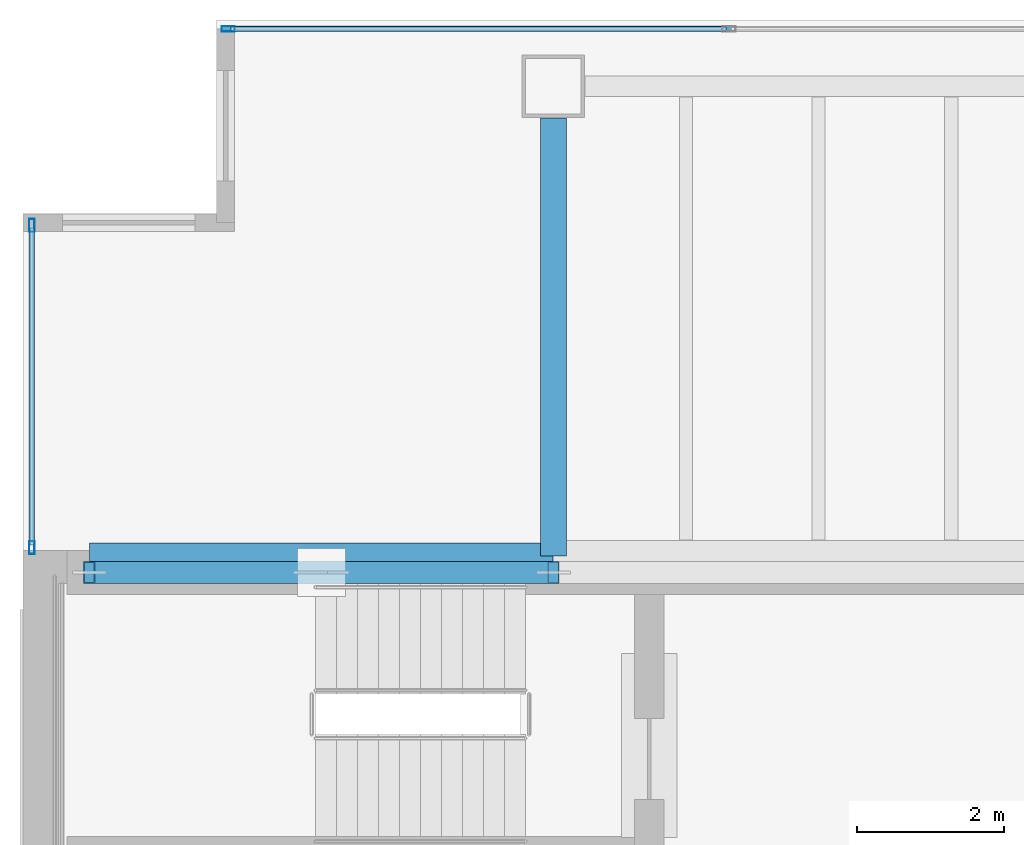
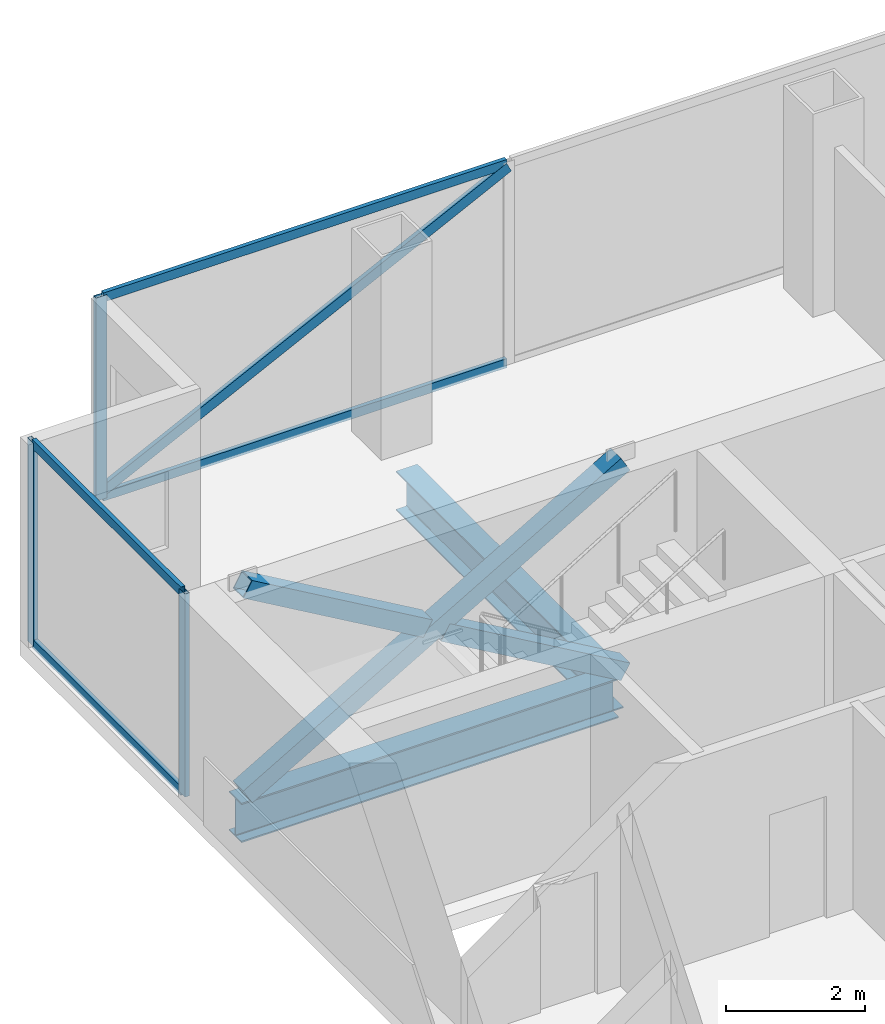
# One storey, part 16 of 23: 11 members, 2 beams, 2 elements without a shape of their own.
"""IFC4 building model written with IfcOpenShell, lengths in metres."""

from ifc_helpers import new_model, si_unit, direction, frame, origin, origin_2d, place, context, subcontext, project, spatial, hollow_rectangle, i_section, extrude, material, material_profile, profile_set, type_object, element, aggregate, save


model = new_model("IFC4")

# Units and contexts
model_context = context("Model", 3, precision=1e-05, world=origin(), true_north=direction((0.0, 1.0)))
body_context = subcontext(model_context, "Body", "Model", "MODEL_VIEW")
ifc_project = project(units=[si_unit("LENGTHUNIT", "METRE"), si_unit("AREAUNIT", "SQUARE_METRE"), si_unit("VOLUMEUNIT", "CUBIC_METRE"), si_unit("PLANEANGLEUNIT", "RADIAN"), si_unit("MASSUNIT", "GRAM", prefix="KILO")], contexts=[model_context])

# Site, building, storey
site_placement = place(None, origin())
site = spatial("IfcSite", under=ifc_project, at=site_placement, CompositionType="ELEMENT")
building_placement = place(site_placement, origin())
building = spatial("IfcBuilding", under=site, at=building_placement, Name="Cobrela Telecom Tower", CompositionType="ELEMENT")
storey_placement = place(building_placement, frame((0.0, 0.0, 159.949951171875)))
storey = spatial("IfcBuildingStorey", under=building, at=storey_placement, Name="L40", CompositionType="ELEMENT", Elevation=159.949951171875)

# Beams
ifc_material_1 = material(Name="Steel ASTM A992 Grade 50", Category="steel")
ifc_material_profile_1 = material_profile(ifc_material_1, i_section(OverallWidth=0.35595703125, OverallDepth=0.696044921875, WebThickness=0.015380859375, FlangeThickness=0.024658203125, FilletRadius=0.01806640625, at=origin_2d()), Name="W27X146")
ifc_profile_set_1 = profile_set([ifc_material_profile_1], Name="Steel ASTM A992 Grade 50")
beam_type = type_object("IfcBeamType", Name="BM-GIRD-05", PredefinedType="USERDEFINED", material=ifc_profile_set_1)
beam_1_placement = place(storey_placement, frame((0.905029296875, 35.919921875, -0.617919921875), z_axis=(1.0, 0.0, 0.0), x_axis=(0.0, 1.0, 0.0)))
element("IfcBeam", 1, at=beam_1_placement, inside=storey, type_object=beam_type, Name="L40 Primary Girder X21", ObjectType="GIRDER", PredefinedType="USERDEFINED", context=body_context, shape_type="SweptSolid", body=[
    extrude(i_section(OverallWidth=0.35595703125, OverallDepth=0.696044921875, WebThickness=0.015380859375, FlangeThickness=0.024658203125, FilletRadius=0.01806640625, at=origin_2d()), origin(), (0.0, 0.0, 1.0), 6.2900390625),
])
beam_2_placement = place(storey_placement, frame((7.199951171875, 35.925048828125, -0.617919921875), z_axis=(0.0, 1.0, 0.0), x_axis=(-1.0, 0.0, 0.0)))
element("IfcBeam", 2, at=beam_2_placement, inside=storey, type_object=beam_type, Name="L40 Primary Girder Y28", ObjectType="GIRDER", PredefinedType="USERDEFINED", context=body_context, shape_type="SweptSolid", body=[
    extrude(i_section(OverallWidth=0.35595703125, OverallDepth=0.696044921875, WebThickness=0.015380859375, FlangeThickness=0.024658203125, FilletRadius=0.01806640625, at=origin_2d()), origin(), (0.0, 0.0, 1.0), 5.945068359375),
])

# Curtain wall, members
ifc_material_2 = material(Name="Anodized Bronze Aluminium 6063-T6", Category="aluminium")
curtain_wall_type = type_object("IfcCurtainWallType", Name="CW-SYS-TEL", PredefinedType="USERDEFINED", material=ifc_material_2)
curtain_wall_1_placement = place(storey_placement, origin())
curtain_wall_1 = element("IfcCurtainWall", 3, at=curtain_wall_1_placement, inside=storey, type_object=curtain_wall_type, Name="L40 Unitised Bronze Curtain Wall 04", ObjectType="UNITISED CURTAIN WALL", PredefinedType="USERDEFINED")
ifc_material_profile_2 = material_profile(ifc_material_2, hollow_rectangle(XDim=0.074951171875, YDim=0.179931640625, WallThickness=0.00390625, at=origin_2d()), Name="ALU 75x180x4")
ifc_profile_set_2 = profile_set([ifc_material_profile_2], Name="Anodized Bronze Aluminium 6063-T6")
member_type_1 = type_object("IfcMemberType", Name="CW-SYS-TEL-MUL", PredefinedType="MULLION", material=ifc_profile_set_2)
member_1_placement = place(storey_placement, frame((0.1201171875, 36.03759765625, 0.0), z_axis=(0.0, 0.0, 1.0), x_axis=(-1.0, 0.0, 0.0)))
member_1 = element("IfcMember", 4, at=member_1_placement, type_object=member_type_1, Name="CW-TEL mullion 1", PredefinedType="MULLION", context=body_context, shape_type="SweptSolid", body=[
    extrude(hollow_rectangle(XDim=0.074951171875, YDim=0.179931640625, WallThickness=0.00390625, at=origin_2d()), origin(), (0.0, 0.0, 1.0), 3.580078125),
])
member_2_placement = place(storey_placement, frame((0.1201171875, 40.41259765625, 0.0), z_axis=(0.0, 0.0, 1.0), x_axis=(-1.0, 0.0, 0.0)))
member_2 = element("IfcMember", 5, at=member_2_placement, type_object=member_type_1, Name="CW-TEL mullion 2", PredefinedType="MULLION", context=body_context, shape_type="SweptSolid", body=[
    extrude(hollow_rectangle(XDim=0.074951171875, YDim=0.179931640625, WallThickness=0.00390625, at=origin_2d()), origin(), (0.0, 0.0, 1.0), 3.580078125),
])

curtain_wall_2_placement = place(storey_placement, origin())
curtain_wall_2 = element("IfcCurtainWall", 6, at=curtain_wall_2_placement, inside=storey, type_object=curtain_wall_type, Name="L40 Unitised Bronze Curtain Wall 07", ObjectType="UNITISED CURTAIN WALL", PredefinedType="USERDEFINED")
member_3_placement = place(storey_placement, frame((2.78759765625, 43.080078125, 0.0), z_axis=(0.0, 0.0, 1.0), x_axis=(0.0, 1.0, 0.0)))
member_3 = element("IfcMember", 7, at=member_3_placement, type_object=member_type_1, Name="CW-TEL mullion 1", PredefinedType="MULLION", context=body_context, shape_type="SweptSolid", body=[
    extrude(hollow_rectangle(XDim=0.074951171875, YDim=0.179931640625, WallThickness=0.00390625, at=origin_2d()), origin(), (0.0, 0.0, 1.0), 3.580078125),
])
member_4_placement = place(storey_placement, frame((2.75, 43.080078125, 0.10009765625), z_axis=(0.896346782895, 0.0, 0.443353634014), x_axis=(0.0, 1.0, 0.0)))
member_4 = element("IfcMember", 8, at=member_4_placement, type_object=member_type_1, Name="L40 Faceted Curtain Wall Diagonal Glazing Mullion", PredefinedType="MULLION", context=body_context, shape_type="SweptSolid", body=[
    extrude(hollow_rectangle(XDim=0.074951171875, YDim=0.179931640625, WallThickness=0.00390625, at=origin_2d()), origin(), (0.0, 0.0, 1.0), 7.62353515625),
])

# Member
ifc_material_profile_3 = material_profile(ifc_material_2, hollow_rectangle(XDim=0.070068359375, YDim=0.159912109375, WallThickness=0.00390625, at=origin_2d()), Name="ALU 70x160x4")
ifc_profile_set_3 = profile_set([ifc_material_profile_3], Name="Anodized Bronze Aluminium 6063-T6")
member_type_2 = type_object("IfcMemberType", Name="CW-SYS-TEL-TRN", PredefinedType="USERDEFINED", material=ifc_profile_set_3)
member_5_placement = place(storey_placement, frame((0.1201171875, 36.074951171875, 0.03515625), z_axis=(0.0, 1.0, 0.0), x_axis=(-1.0, 0.0, 0.0)))
member_5 = element("IfcMember", 9, at=member_5_placement, type_object=member_type_2, Name="CW-TEL transom 1.1", ObjectType="TRANSOM", PredefinedType="USERDEFINED", context=body_context, shape_type="SweptSolid", body=[
    extrude(hollow_rectangle(XDim=0.070068359375, YDim=0.159912109375, WallThickness=0.00390625, at=origin_2d()), origin(), (0.0, 0.0, 1.0), 4.300048828125),
])

member_6_placement = place(storey_placement, frame((0.1201171875, 36.074951171875, 3.545166015625), z_axis=(0.0, 1.0, 0.0), x_axis=(-1.0, 0.0, 0.0)))
member_6 = element("IfcMember", 10, at=member_6_placement, type_object=member_type_2, Name="CW-TEL transom 1.2", ObjectType="TRANSOM", PredefinedType="USERDEFINED", context=body_context, shape_type="SweptSolid", body=[
    extrude(hollow_rectangle(XDim=0.070068359375, YDim=0.159912109375, WallThickness=0.00390625, at=origin_2d()), origin(), (0.0, 0.0, 1.0), 4.300048828125),
])

aggregate(curtain_wall_1, [member_1, member_2, member_5, member_6])

member_7_placement = place(storey_placement, frame((2.824951171875, 43.080078125, 0.03515625), z_axis=(1.0, 0.0, 0.0), x_axis=(0.0, 1.0, 0.0)))
member_7 = element("IfcMember", 11, at=member_7_placement, type_object=member_type_2, Name="CW-TEL transom 1.1", ObjectType="TRANSOM", PredefinedType="USERDEFINED", context=body_context, shape_type="SweptSolid", body=[
    extrude(hollow_rectangle(XDim=0.070068359375, YDim=0.159912109375, WallThickness=0.00390625, at=origin_2d()), origin(), (0.0, 0.0, 1.0), 6.720947265625),
])

member_8_placement = place(storey_placement, frame((2.824951171875, 43.080078125, 3.545166015625), z_axis=(1.0, 0.0, 0.0), x_axis=(0.0, 1.0, 0.0)))
member_8 = element("IfcMember", 12, at=member_8_placement, type_object=member_type_2, Name="CW-TEL transom 1.2", ObjectType="TRANSOM", PredefinedType="USERDEFINED", context=body_context, shape_type="SweptSolid", body=[
    extrude(hollow_rectangle(XDim=0.070068359375, YDim=0.159912109375, WallThickness=0.00390625, at=origin_2d()), origin(), (0.0, 0.0, 1.0), 6.720947265625),
])

aggregate(curtain_wall_2, [member_3, member_7, member_8, member_4])

# Members
ifc_material_3 = material(Name="Steel ASTM A572 Grade 50", Category="steel")
ifc_material_profile_4 = material_profile(ifc_material_3, hollow_rectangle(XDim=0.300048828125, YDim=0.300048828125, WallThickness=0.01611328125, at=origin_2d()), Name="HSS 300x300x16")
ifc_profile_set_4 = profile_set([ifc_material_profile_4], Name="Steel ASTM A572 Grade 50")
member_type_3 = type_object("IfcMemberType", Name="MBR-EXO-03", PredefinedType="BRACE", material=ifc_profile_set_4)
member_9_placement = place(storey_placement, frame((0.89990234375, 35.699951171875, -0.0400390625), z_axis=(0.864665946149, 0.0, 0.502347291791), x_axis=(0.0, 1.0, 0.0)))
element("IfcMember", 13, at=member_9_placement, inside=storey, type_object=member_type_3, Name="L40 Core Flange Steel X-Brace Continuous A", PredefinedType="BRACE", context=body_context, shape_type="SweptSolid", body=[
    extrude(hollow_rectangle(XDim=0.300048828125, YDim=0.300048828125, WallThickness=0.01611328125, at=origin_2d()), origin(), (0.0, 0.0, 1.0), 7.2861328125),
])
member_10_placement = place(storey_placement, frame((7.199951171875, 35.699951171875, -0.0400390625), z_axis=(-0.864666885148, 0.0, 0.502345675535), x_axis=(0.0, -1.0, 0.0)))
element("IfcMember", 14, at=member_10_placement, inside=storey, type_object=member_type_3, Name="L40 Core Flange Steel X-Brace Split B1", PredefinedType="BRACE", context=body_context, shape_type="SweptSolid", body=[
    extrude(hollow_rectangle(XDim=0.300048828125, YDim=0.300048828125, WallThickness=0.01611328125, at=origin_2d()), origin(), (0.0, 0.0, 1.0), 3.474853515625),
])
member_11_placement = place(storey_placement, frame((3.90478515625, 35.699951171875, 1.87451171875), z_axis=(-0.864684613256, 0.0, 0.502315159634), x_axis=(0.0, -1.0, 0.0)))
element("IfcMember", 15, at=member_11_placement, inside=storey, type_object=member_type_3, Name="L40 Core Flange Steel X-Brace Split B2", PredefinedType="BRACE", context=body_context, shape_type="SweptSolid", body=[
    extrude(hollow_rectangle(XDim=0.300048828125, YDim=0.300048828125, WallThickness=0.01611328125, at=origin_2d()), origin(), (0.0, 0.0, 1.0), 3.47509765625),
])

save(model, "model.ifc")
